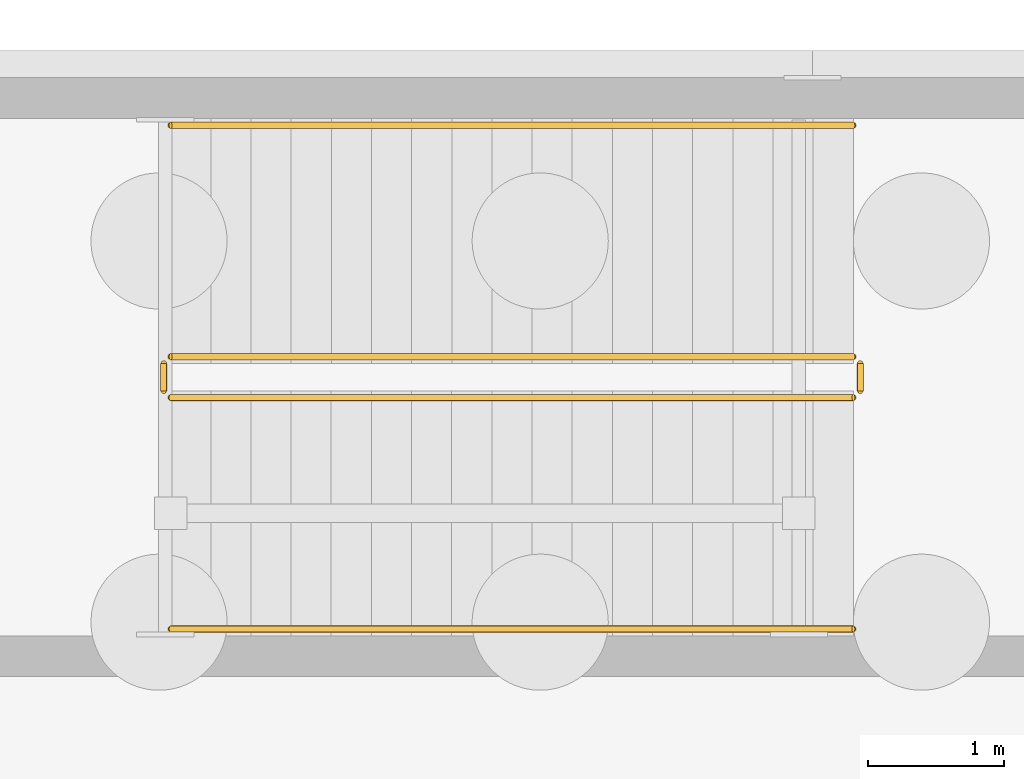
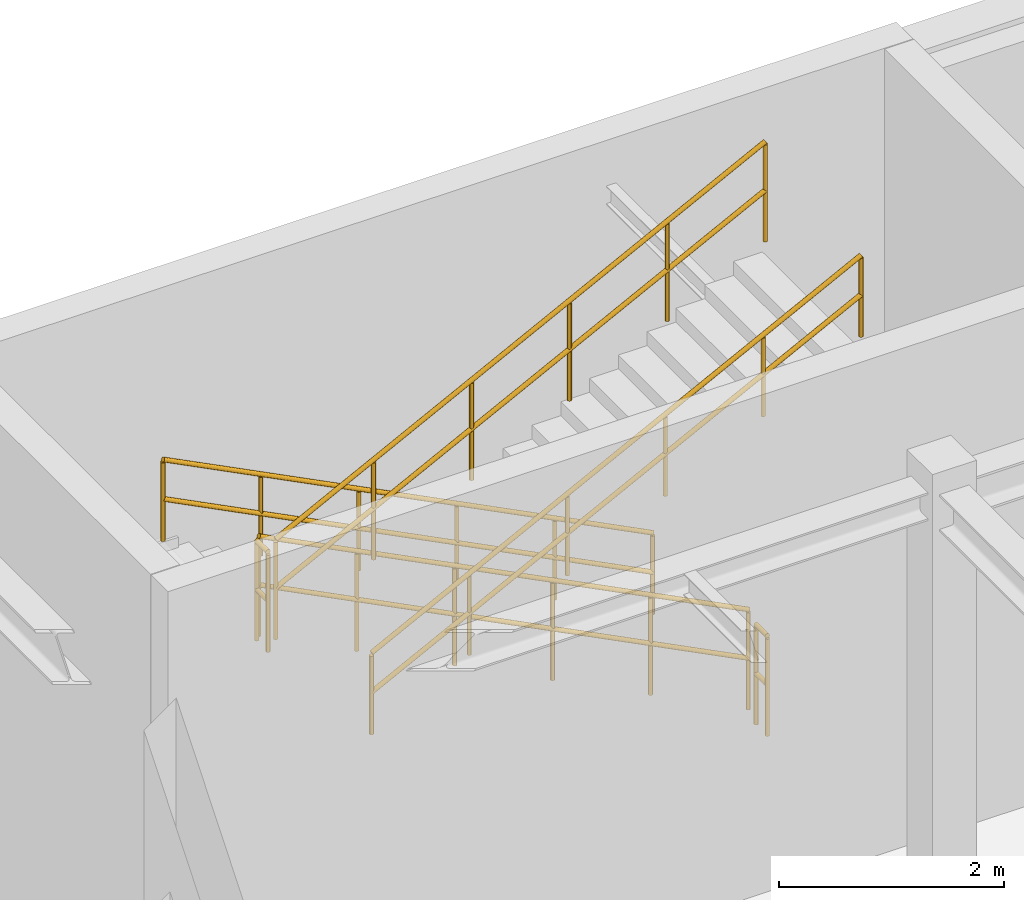
# One storey, part 68 of 71: 6 railings.
"""IFC4 building model written with IfcOpenShell, lengths in metres."""

from ifc_helpers import new_model, si_unit, direction, frame, origin, origin_2d, place, context, subcontext, project, spatial, circle, extrude, material, type_object, element, save


model = new_model("IFC4")

# Units and contexts
model_context = context("Model", 3, precision=1e-05, world=origin(), true_north=direction((0.0, 1.0)))
body_context = subcontext(model_context, "Body", "Model", "MODEL_VIEW")
ifc_project = project(units=[si_unit("LENGTHUNIT", "METRE"), si_unit("AREAUNIT", "SQUARE_METRE"), si_unit("VOLUMEUNIT", "CUBIC_METRE"), si_unit("PLANEANGLEUNIT", "RADIAN"), si_unit("MASSUNIT", "GRAM", prefix="KILO")], contexts=[model_context])

# Site, building, storey
site_placement = place(None, origin())
site = spatial("IfcSite", under=ifc_project, at=site_placement, CompositionType="ELEMENT")
building_placement = place(site_placement, origin())
building = spatial("IfcBuilding", under=site, at=building_placement, Name="Sundkrona Museum", CompositionType="ELEMENT")
storey_placement = place(building_placement, frame((0.0, 0.0, -5.39990234375)))
storey = spatial("IfcBuildingStorey", under=building, at=storey_placement, Name="B1", CompositionType="ELEMENT", Elevation=-5.39990234375)

# Railings
ifc_material_1 = material(Name="Painted Steel S355J2 and Laminated Glass Balustrade", Category="steel")
railing_type_1 = type_object("IfcRailingType", Name="RL-GUARD-1100", PredefinedType="BALUSTRADE", material=ifc_material_1)
railing_1_placement = place(storey_placement, frame((48.300048828125, 111.949951171875, 0.14990234375)))
element("IfcRailing", 1, at=railing_1_placement, inside=storey, type_object=railing_type_1, Name="B1 ST-3 stair guard 1", PredefinedType="BALUSTRADE", context=body_context, shape_type="SweptSolid", body=[
    extrude(circle(Radius=0.02392578125, at=origin_2d()), frame((0.0, 0.0, 1.076171875), z_axis=(-0.891386615937, 0.0, 0.453243754428), x_axis=(0.0, -1.0, 0.0)), (0.0, 0.0, 1.0), 5.626220703125),
    extrude(circle(Radius=0.02392578125, at=origin_2d()), frame((0.0, 0.0, 0.550048828125), z_axis=(-0.891386615937, 0.0, 0.453243754428), x_axis=(0.0, -1.0, 0.0)), (0.0, 0.0, 1.0), 5.626220703125),
    extrude(circle(Radius=0.02099609375, at=origin_2d()), origin(), (0.0, 0.0, 1.0), 1.052001953125),
    extrude(circle(Radius=0.02099609375, at=origin_2d()), frame((-1.0029296875, 0.0, 0.510009765625)), (0.0, 0.0, 1.0), 1.052001953125),
    extrude(circle(Radius=0.02099609375, at=origin_2d()), frame((-2.006103515625, 0.0, 1.02001953125)), (0.0, 0.0, 1.0), 1.052001953125),
    extrude(circle(Radius=0.02099609375, at=origin_2d()), frame((-3.009033203125, 0.0, 1.530029296875)), (0.0, 0.0, 1.0), 1.052001953125),
    extrude(circle(Radius=0.02099609375, at=origin_2d()), frame((-4.01220703125, 0.0, 2.0400390625)), (0.0, 0.0, 1.0), 1.052001953125),
    extrude(circle(Radius=0.02099609375, at=origin_2d()), frame((-5.01513671875, 0.0, 2.550048828125)), (0.0, 0.0, 1.0), 1.052001953125),
])
railing_2_placement = place(storey_placement, frame((43.235107421875, 111.89990234375, 2.699951171875)))
element("IfcRailing", 2, at=railing_2_placement, inside=storey, type_object=railing_type_1, Name="B1 ST-3 stair guard 2", PredefinedType="BALUSTRADE", context=body_context, shape_type="SweptSolid", body=[
    extrude(circle(Radius=0.02392578125, at=origin_2d()), frame((0.0, 0.0, 1.076171875), z_axis=(0.0, -1.0, 0.0), x_axis=(1.0, 0.0, 0.0)), (0.0, 0.0, 1.0), 0.199951171875),
    extrude(circle(Radius=0.02392578125, at=origin_2d()), frame((0.0, 0.0, 0.550048828125), z_axis=(0.0, -1.0, 0.0), x_axis=(1.0, 0.0, 0.0)), (0.0, 0.0, 1.0), 0.199951171875),
    extrude(circle(Radius=0.02099609375, at=origin_2d()), origin(), (0.0, 0.0, 1.0), 1.052001953125),
    extrude(circle(Radius=0.02099609375, at=origin_2d()), frame((0.0, -0.199951171875, 0.0)), (0.0, 0.0, 1.0), 1.052001953125),
])
railing_3_placement = place(storey_placement, frame((43.284912109375, 111.64990234375, 2.849853515625)))
element("IfcRailing", 3, at=railing_3_placement, inside=storey, type_object=railing_type_1, Name="B1 ST-3 stair guard 3", PredefinedType="BALUSTRADE", context=body_context, shape_type="SweptSolid", body=[
    extrude(circle(Radius=0.02392578125, at=origin_2d()), frame((0.0, 0.0, 1.076171875), z_axis=(0.891386615937, 0.0, 0.453243754428), x_axis=(0.0, 1.0, 0.0)), (0.0, 0.0, 1.0), 5.626220703125),
    extrude(circle(Radius=0.02392578125, at=origin_2d()), frame((0.0, 0.0, 0.550048828125), z_axis=(0.891386615937, 0.0, 0.453243754428), x_axis=(0.0, 1.0, 0.0)), (0.0, 0.0, 1.0), 5.626220703125),
    extrude(circle(Radius=0.02099609375, at=origin_2d()), origin(), (0.0, 0.0, 1.0), 1.052001953125),
    extrude(circle(Radius=0.02099609375, at=origin_2d()), frame((1.0029296875, 0.0, 0.510009765625)), (0.0, 0.0, 1.0), 1.052001953125),
    extrude(circle(Radius=0.02099609375, at=origin_2d()), frame((2.006103515625, 0.0, 1.02001953125)), (0.0, 0.0, 1.0), 1.052001953125),
    extrude(circle(Radius=0.02099609375, at=origin_2d()), frame((3.009033203125, 0.0, 1.530029296875)), (0.0, 0.0, 1.0), 1.052001953125),
    extrude(circle(Radius=0.02099609375, at=origin_2d()), frame((4.01220703125, 0.0, 2.0400390625)), (0.0, 0.0, 1.0), 1.052001953125),
    extrude(circle(Radius=0.02099609375, at=origin_2d()), frame((5.01513671875, 0.0, 2.550048828125)), (0.0, 0.0, 1.0), 1.052001953125),
])
railing_4_placement = place(storey_placement, frame((48.35009765625, 111.89990234375, 0.0)))
element("IfcRailing", 4, at=railing_4_placement, inside=storey, type_object=railing_type_1, Name="B1 ST-3 stair guard 4", PredefinedType="BALUSTRADE", context=body_context, shape_type="SweptSolid", body=[
    extrude(circle(Radius=0.02392578125, at=origin_2d()), frame((0.0, 0.0, 1.076171875), z_axis=(0.0, -1.0, 0.0), x_axis=(1.0, 0.0, 0.0)), (0.0, 0.0, 1.0), 0.199951171875),
    extrude(circle(Radius=0.02392578125, at=origin_2d()), frame((0.0, 0.0, 0.550048828125), z_axis=(0.0, -1.0, 0.0), x_axis=(1.0, 0.0, 0.0)), (0.0, 0.0, 1.0), 0.199951171875),
    extrude(circle(Radius=0.02099609375, at=origin_2d()), origin(), (0.0, 0.0, 1.0), 1.052001953125),
    extrude(circle(Radius=0.02099609375, at=origin_2d()), frame((0.0, -0.199951171875, 0.0)), (0.0, 0.0, 1.0), 1.052001953125),
])
ifc_material_2 = material(Name="Brushed Bronze-Clad Steel Handrail", Category="steel")
railing_type_2 = type_object("IfcRailingType", Name="RL-HAND-900", PredefinedType="HANDRAIL", material=ifc_material_2)
railing_5_placement = place(storey_placement, frame((48.300048828125, 113.64990234375, 0.14990234375)))
element("IfcRailing", 5, at=railing_5_placement, inside=storey, type_object=railing_type_2, Name="B1 ST-3 stair handrail 1", PredefinedType="HANDRAIL", context=body_context, shape_type="SweptSolid", body=[
    extrude(circle(Radius=0.02392578125, at=origin_2d()), frame((0.0, 0.0, 0.8759765625), z_axis=(-0.891386615937, 0.0, 0.453243754428), x_axis=(0.0, -1.0, 0.0)), (0.0, 0.0, 1.0), 5.626220703125),
    extrude(circle(Radius=0.02392578125, at=origin_2d()), frame((0.0, 0.0, 0.449951171875), z_axis=(-0.891386615937, 0.0, 0.453243754428), x_axis=(0.0, -1.0, 0.0)), (0.0, 0.0, 1.0), 5.626220703125),
    extrude(circle(Radius=0.02099609375, at=origin_2d()), origin(), (0.0, 0.0, 1.0), 0.851806640625),
    extrude(circle(Radius=0.02099609375, at=origin_2d()), frame((-1.0029296875, 0.0, 0.510009765625)), (0.0, 0.0, 1.0), 0.851806640625),
    extrude(circle(Radius=0.02099609375, at=origin_2d()), frame((-2.006103515625, 0.0, 1.02001953125)), (0.0, 0.0, 1.0), 0.851806640625),
    extrude(circle(Radius=0.02099609375, at=origin_2d()), frame((-3.009033203125, 0.0, 1.530029296875)), (0.0, 0.0, 1.0), 0.851806640625),
    extrude(circle(Radius=0.02099609375, at=origin_2d()), frame((-4.01220703125, 0.0, 2.0400390625)), (0.0, 0.0, 1.0), 0.851806640625),
    extrude(circle(Radius=0.02099609375, at=origin_2d()), frame((-5.01513671875, 0.0, 2.550048828125)), (0.0, 0.0, 1.0), 0.851806640625),
])
railing_6_placement = place(storey_placement, frame((43.284912109375, 109.949951171875, 2.849853515625)))
element("IfcRailing", 6, at=railing_6_placement, inside=storey, type_object=railing_type_2, Name="B1 ST-3 stair handrail 2", PredefinedType="HANDRAIL", context=body_context, shape_type="SweptSolid", body=[
    extrude(circle(Radius=0.02392578125, at=origin_2d()), frame((0.0, 0.0, 0.8759765625), z_axis=(0.891386615937, 0.0, 0.453243754428), x_axis=(0.0, 1.0, 0.0)), (0.0, 0.0, 1.0), 5.626220703125),
    extrude(circle(Radius=0.02392578125, at=origin_2d()), frame((0.0, 0.0, 0.449951171875), z_axis=(0.891386615937, 0.0, 0.453243754428), x_axis=(0.0, 1.0, 0.0)), (0.0, 0.0, 1.0), 5.626220703125),
    extrude(circle(Radius=0.02099609375, at=origin_2d()), origin(), (0.0, 0.0, 1.0), 0.851806640625),
    extrude(circle(Radius=0.02099609375, at=origin_2d()), frame((1.0029296875, 0.0, 0.510009765625)), (0.0, 0.0, 1.0), 0.851806640625),
    extrude(circle(Radius=0.02099609375, at=origin_2d()), frame((2.006103515625, 0.0, 1.02001953125)), (0.0, 0.0, 1.0), 0.851806640625),
    extrude(circle(Radius=0.02099609375, at=origin_2d()), frame((3.009033203125, 0.0, 1.530029296875)), (0.0, 0.0, 1.0), 0.851806640625),
    extrude(circle(Radius=0.02099609375, at=origin_2d()), frame((4.01220703125, 0.0, 2.0400390625)), (0.0, 0.0, 1.0), 0.851806640625),
    extrude(circle(Radius=0.02099609375, at=origin_2d()), frame((5.01513671875, 0.0, 2.550048828125)), (0.0, 0.0, 1.0), 0.851806640625),
])

save(model, "model.ifc")
